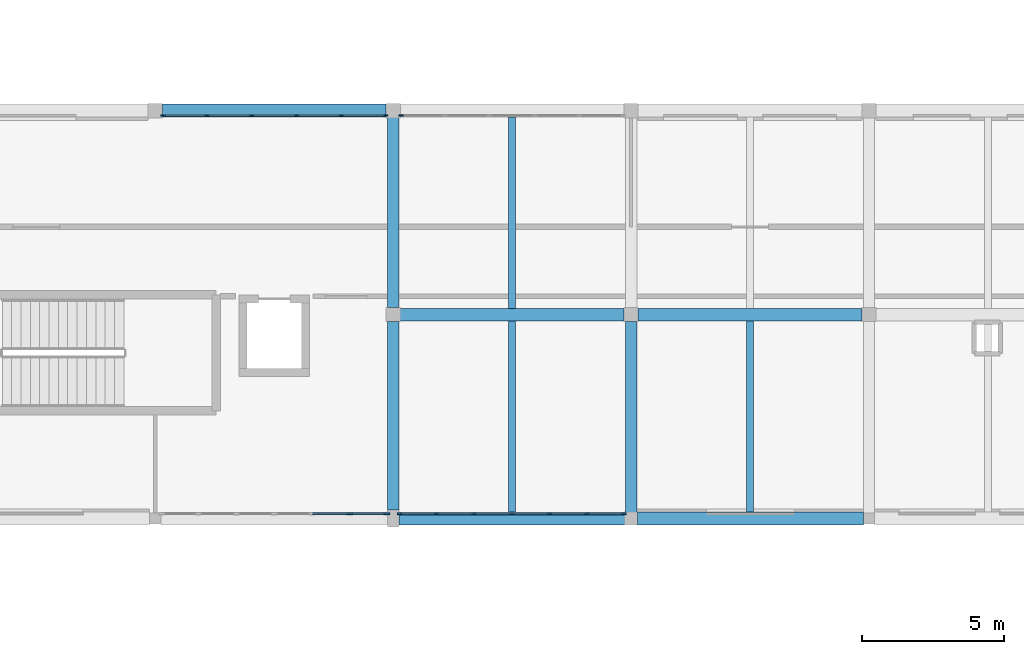
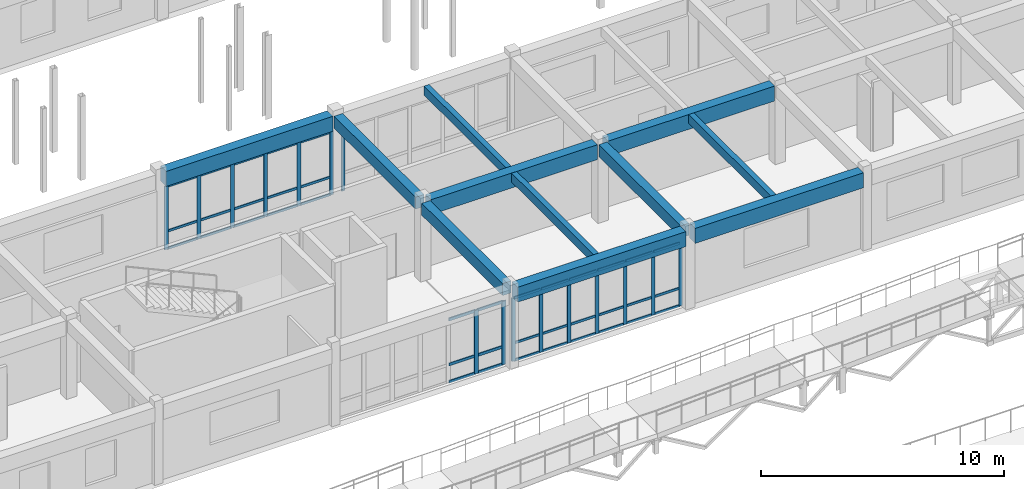
# One storey, part 30 of 90: 55 members, 11 beams, 4 elements without a shape of their own.
"""IFC4 building model written with IfcOpenShell, lengths in metres."""

import ifcopenshell
import ifcopenshell.guid

model = None  # the IFC model being written
_history = None  # IfcOwnerHistory: only IFC2X3 demands one
_inside = {}  # id of a spatial element -> (the spatial element, [elements in it])
_under = {}  # id of a project, library or spatial element -> (it, [spatial elements below it])
_declared = {}  # id of a project -> (the project, [libraries it declares])
_typed = {}  # id of a type object -> (the type object, [elements of that type])
_made_of = {}  # id of a material, layer set ... -> (it, [elements and type objects made of it])


def new_model(schema):
    """Start an empty IFC model of exactly this schema.

    Asked for "IFC4X3", IfcOpenShell would pick the latest addendum, in which some entities
    have other attributes; the version numbers below select the first issue.
    IFC2X3 requires an IfcOwnerHistory on every rooted entity: one is made here for all.
    """
    global model, _history
    if schema == "IFC4X3":
        model = ifcopenshell.file(schema_version=(4, 3, 0, 0))
    else:
        model = ifcopenshell.file(schema=schema)
    _inside.clear()
    _under.clear()
    _declared.clear()
    _typed.clear()
    _made_of.clear()
    _history = None
    if model.schema == "IFC2X3":
        org = make("IfcOrganization", Name="unknown")
        user = make(
            "IfcPersonAndOrganization",
            ThePerson=make("IfcPerson", FamilyName="unknown"),
            TheOrganization=org,
        )
        app = make(
            "IfcApplication",
            ApplicationDeveloper=org,
            Version="unknown",
            ApplicationFullName="unknown",
            ApplicationIdentifier="unknown",
        )
        _history = make(
            "IfcOwnerHistory",
            OwningUser=user,
            OwningApplication=app,
            ChangeAction="ADDED",
            CreationDate=0,
        )
    return model


def make(cls, **values):
    """One entity of the class cls with the attributes given. An attribute that is None is left unset."""
    return model.create_entity(
        cls, **{name: value for name, value in values.items() if value is not None}
    )


def rooted(cls, **values):
    """An entity with a GlobalId (a new one), such as an element, a storey or a relation."""
    return make(cls, GlobalId=ifcopenshell.guid.new(), OwnerHistory=_history, **values)


def si_unit(unit_type, name, prefix=None):
    """IfcSIUnit, for example si_unit("LENGTHUNIT", "METRE", prefix="MILLI")."""
    return make("IfcSIUnit", UnitType=unit_type, Prefix=prefix, Name=name)


def assignment(units):
    """IfcUnitAssignment: the units of a project."""
    return None if units is None else make("IfcUnitAssignment", Units=units)


def point(xyz):
    """IfcCartesianPoint."""
    return None if xyz is None else make("IfcCartesianPoint", Coordinates=xyz)


def direction(xyz):
    """IfcDirection."""
    return None if xyz is None else make("IfcDirection", DirectionRatios=xyz)


def frame(location, z_axis=None, x_axis=None):
    """IfcAxis2Placement3D, a coordinate frame: its origin and axes. An axis left out is left unset."""
    return make(
        "IfcAxis2Placement3D",
        Location=point(location),
        Axis=direction(z_axis),
        RefDirection=direction(x_axis),
    )


def frame_2d(location, x_axis=None):
    """IfcAxis2Placement2D, a coordinate frame in the plane: its origin and x axis."""
    return make(
        "IfcAxis2Placement2D", Location=point(location), RefDirection=direction(x_axis)
    )


def origin():
    """The frame at (0, 0, 0) with its axes left unset."""
    return frame((0.0, 0.0, 0.0))


def origin_2d():
    """The frame at (0, 0) in the plane with its x axis left unset."""
    return frame_2d((0.0, 0.0))


def place(relative_to, where):
    """IfcLocalPlacement: puts the frame where relative to a parent placement (None: the world)."""
    return make(
        "IfcLocalPlacement", PlacementRelTo=relative_to, RelativePlacement=where
    )


def context(
    kind, dimensions, precision=None, world=None, true_north=None, identifier=None
):
    """IfcGeometricRepresentationContext, for example the 3D "Model" context."""
    return make(
        "IfcGeometricRepresentationContext",
        ContextIdentifier=identifier,
        ContextType=kind,
        CoordinateSpaceDimension=dimensions,
        Precision=precision,
        WorldCoordinateSystem=world,
        TrueNorth=true_north,
    )


def subcontext(parent, identifier, kind, view, scale=None):
    """IfcGeometricRepresentationSubContext, for example "Body" below "Model"."""
    return make(
        "IfcGeometricRepresentationSubContext",
        ContextIdentifier=identifier,
        ContextType=kind,
        ParentContext=parent,
        TargetScale=scale,
        TargetView=view,
    )


def project(units=None, contexts=None):
    """IfcProject with its units and contexts."""
    return rooted(
        "IfcProject",
        Name="project",
        RepresentationContexts=contexts,
        UnitsInContext=assignment(units),
    )


def spatial(cls, under=None, at=None, **own):
    """A site, building, storey or space (cls), placed at a placement, below another one or the project."""
    s = rooted(cls, ObjectPlacement=at, **own)
    if under is not None:
        _under.setdefault(under.id(), (under, []))[1].append(s)
    return s


def profile(cls, at=None, kind="AREA", **sizes):
    """A parametric profile (cls). Its sizes go by their IFC names, for example OverallWidth=200.0."""
    return make(cls, ProfileType=kind, Position=at, **sizes)


def rectangle(**sizes):
    """IfcRectangleProfileDef."""
    return profile("IfcRectangleProfileDef", **sizes)


def extrude(swept, where, along, depth):
    """IfcExtrudedAreaSolid: the profile swept, set in the frame where, extruded along a direction by depth."""
    return make(
        "IfcExtrudedAreaSolid",
        SweptArea=swept,
        Position=where,
        ExtrudedDirection=direction(along),
        Depth=depth,
    )


def shape(context_of_items, identifier, shape_type, items):
    """IfcShapeRepresentation: the items that make up one representation, for example the "Body"."""
    return make(
        "IfcShapeRepresentation",
        ContextOfItems=context_of_items,
        RepresentationIdentifier=identifier,
        RepresentationType=shape_type,
        Items=items,
    )


def material(Name=None, Category=None):
    """IfcMaterial."""
    return make("IfcMaterial", Name=Name, Category=Category)


def material_profile(
    of_material, cross_section, Name=None, Category=None, Priority=None
):
    """IfcMaterialProfile: a cross section and its material."""
    return make(
        "IfcMaterialProfile",
        Name=Name,
        Material=of_material,
        Profile=cross_section,
        Priority=Priority,
        Category=Category,
    )


def profile_set(profiles, Name=None, composite=None):
    """IfcMaterialProfileSet."""
    return make(
        "IfcMaterialProfileSet",
        Name=Name,
        MaterialProfiles=profiles,
        CompositeProfile=composite,
    )


def made_of(thing, what):
    """Note that an element or type object is made of a material, layer set ...; save() writes the relation."""
    if what is not None:
        _made_of.setdefault(what.id(), (what, []))[1].append(thing)
    return thing


def type_object(cls, material=None, **own):
    """A type object (cls), such as IfcWallType, which elements share."""
    return made_of(rooted(cls, **own), material)


def element(
    cls,
    number,
    at=None,
    inside=None,
    cuts=None,
    type_object=None,
    material=None,
    context=None,
    identifier="Body",
    shape_type=None,
    held_by="IfcProductDefinitionShape",
    body=None,
    shapes=None,
    **own,
):
    """One element of the class cls, such as IfcWall. Its Tag is "e" and its number.

    at: its placement. inside: the storey or other place that contains it. cuts: it is an
    opening in that element (IfcRelVoidsElement). A single representation is given by context,
    identifier, shape_type and body (its items); several are given by shapes. held_by: the class
    of the entity that holds the representations. save() writes the other relations.
    """
    e = rooted(cls, Tag="e%d" % number, ObjectPlacement=at, **own)
    if body is not None:
        shapes = [shape(context, identifier, shape_type, body)]
    if shapes is not None:
        e.Representation = make(held_by, Representations=shapes)
    if inside is not None:
        _inside.setdefault(inside.id(), (inside, []))[1].append(e)
    if cuts is not None:
        rooted(
            "IfcRelVoidsElement", RelatingBuildingElement=cuts, RelatedOpeningElement=e
        )
    if type_object is not None:
        _typed.setdefault(type_object.id(), (type_object, []))[1].append(e)
    return made_of(e, material)


def aggregate(whole, parts):
    """IfcRelAggregates: a whole, such as a stair, and the parts it consists of."""
    return rooted("IfcRelAggregates", RelatingObject=whole, RelatedObjects=parts)


def save(model, path):
    """Write the relations noted so far, then the file.

    IfcRelAggregates (storeys below a building ...), IfcRelContainedInSpatialStructure (elements
    in a storey), IfcRelDefinesByType, IfcRelAssociatesMaterial and IfcRelDeclares: one each for
    every whole, place, type object, material and project.
    """
    for whole, parts in _under.values():
        aggregate(whole, parts)
    for where, things in _inside.values():
        rooted(
            "IfcRelContainedInSpatialStructure",
            RelatedElements=things,
            RelatingStructure=where,
        )
    for kind, things in _typed.values():
        rooted("IfcRelDefinesByType", RelatedObjects=things, RelatingType=kind)
    for what, things in _made_of.values():
        rooted("IfcRelAssociatesMaterial", RelatedObjects=things, RelatingMaterial=what)
    for by, libraries in _declared.values():
        rooted("IfcRelDeclares", RelatingContext=by, RelatedDefinitions=libraries)
    model.write(path)


model = new_model("IFC4")

# Units and contexts
model_context = context("Model", 3, precision=1e-05, world=origin(), true_north=direction((0.0, 1.0)))
body_context = subcontext(model_context, "Body", "Model", "MODEL_VIEW")
ifc_project = project(units=[si_unit("LENGTHUNIT", "METRE"), si_unit("AREAUNIT", "SQUARE_METRE"), si_unit("VOLUMEUNIT", "CUBIC_METRE"), si_unit("PLANEANGLEUNIT", "RADIAN"), si_unit("MASSUNIT", "GRAM", prefix="KILO")], contexts=[model_context])

# Site, building, storey
site_placement = place(None, origin())
site = spatial("IfcSite", under=ifc_project, at=site_placement, CompositionType="ELEMENT")
building_placement = place(site_placement, origin())
building = spatial("IfcBuilding", under=site, at=building_placement, Name="Malvenik Polytechnic", CompositionType="ELEMENT")
storey_placement = place(building_placement, frame((0.0, 0.0, 9.300048828125)))
storey = spatial("IfcBuildingStorey", under=building, at=storey_placement, Name="L02", CompositionType="ELEMENT", Elevation=9.300048828125)

# Curtain wall, members
ifc_material_1 = material(Name="Anodised aluminium 6060-T6", Category="aluminium")
curtain_wall_type = type_object("IfcCurtainWallType", Name="ARC-CW-CW-03", PredefinedType="NOTDEFINED", material=ifc_material_1)
curtain_wall_1_placement = place(storey_placement, origin())
curtain_wall_1 = element("IfcCurtainWall", 1, at=curtain_wall_1_placement, inside=storey, type_object=curtain_wall_type, Name="Unitised Curtain Wall CW-03 L02 #137", PredefinedType="NOTDEFINED")
ifc_material_2 = material(Name="Anodised aluminium", Category="aluminium")
ifc_material_profile_1 = material_profile(ifc_material_2, rectangle(XDim=0.06005859375, YDim=0.159912109375, at=origin_2d()), Name="ALU MULLION 60x160")
ifc_profile_set_1 = profile_set([ifc_material_profile_1], Name="Anodised aluminium")
member_type_1 = type_object("IfcMemberType", Name="ARC-CWM-160", PredefinedType="MULLION", material=ifc_profile_set_1)
member_1_placement = place(storey_placement, frame((58.547119140625, 50.570068359375, 0.0), z_axis=(0.0, 0.0, 1.0), x_axis=(0.0, -1.0, 0.0)))
member_1 = element("IfcMember", 2, at=member_1_placement, type_object=member_type_1, Name="CW-03 mullion 1", PredefinedType="MULLION", context=body_context, shape_type="SweptSolid", body=[
    extrude(rectangle(XDim=0.06005859375, YDim=0.159912109375, at=origin_2d()), origin(), (0.0, 0.0, 1.0), 3.179931640625),
])
member_2_placement = place(storey_placement, frame((57.2470703125, 50.570068359375, 0.0), z_axis=(0.0, 0.0, 1.0), x_axis=(0.0, -1.0, 0.0)))
member_2 = element("IfcMember", 3, at=member_2_placement, type_object=member_type_1, Name="CW-03 mullion 2", PredefinedType="MULLION", context=body_context, shape_type="SweptSolid", body=[
    extrude(rectangle(XDim=0.06005859375, YDim=0.159912109375, at=origin_2d()), origin(), (0.0, 0.0, 1.0), 3.179931640625),
])
member_3_placement = place(storey_placement, frame((55.917236328125, 50.570068359375, 0.0), z_axis=(0.0, 0.0, 1.0), x_axis=(0.0, -1.0, 0.0)))
member_3 = element("IfcMember", 4, at=member_3_placement, type_object=member_type_1, Name="CW-03 mullion 3", PredefinedType="MULLION", context=body_context, shape_type="SweptSolid", body=[
    extrude(rectangle(XDim=0.06005859375, YDim=0.159912109375, at=origin_2d()), origin(), (0.0, 0.0, 1.0), 3.179931640625),
])
member_4_placement = place(storey_placement, frame((54.58740234375, 50.570068359375, 0.0), z_axis=(0.0, 0.0, 1.0), x_axis=(0.0, -1.0, 0.0)))
member_4 = element("IfcMember", 5, at=member_4_placement, type_object=member_type_1, Name="CW-03 mullion 4", PredefinedType="MULLION", context=body_context, shape_type="SweptSolid", body=[
    extrude(rectangle(XDim=0.06005859375, YDim=0.159912109375, at=origin_2d()), origin(), (0.0, 0.0, 1.0), 3.179931640625),
])
member_5_placement = place(storey_placement, frame((53.257568359375, 50.570068359375, 0.0), z_axis=(0.0, 0.0, 1.0), x_axis=(0.0, -1.0, 0.0)))
member_5 = element("IfcMember", 6, at=member_5_placement, type_object=member_type_1, Name="CW-03 mullion 5", PredefinedType="MULLION", context=body_context, shape_type="SweptSolid", body=[
    extrude(rectangle(XDim=0.06005859375, YDim=0.159912109375, at=origin_2d()), origin(), (0.0, 0.0, 1.0), 3.179931640625),
])
member_6_placement = place(storey_placement, frame((51.927734375, 50.570068359375, 0.0), z_axis=(0.0, 0.0, 1.0), x_axis=(0.0, -1.0, 0.0)))
member_6 = element("IfcMember", 7, at=member_6_placement, type_object=member_type_1, Name="CW-03 mullion 6", PredefinedType="MULLION", context=body_context, shape_type="SweptSolid", body=[
    extrude(rectangle(XDim=0.06005859375, YDim=0.159912109375, at=origin_2d()), origin(), (0.0, 0.0, 1.0), 3.179931640625),
])
member_7_placement = place(storey_placement, frame((50.6279296875, 50.570068359375, 0.0), z_axis=(0.0, 0.0, 1.0), x_axis=(0.0, -1.0, 0.0)))
member_7 = element("IfcMember", 8, at=member_7_placement, type_object=member_type_1, Name="CW-03 mullion 7", PredefinedType="MULLION", context=body_context, shape_type="SweptSolid", body=[
    extrude(rectangle(XDim=0.06005859375, YDim=0.159912109375, at=origin_2d()), origin(), (0.0, 0.0, 1.0), 3.179931640625),
])

# Curtain wall, member
curtain_wall_2_placement = place(storey_placement, origin())
curtain_wall_2 = element("IfcCurtainWall", 9, at=curtain_wall_2_placement, inside=storey, type_object=curtain_wall_type, Name="Unitised Curtain Wall CW-03 L02 #140", PredefinedType="NOTDEFINED")
member_8_placement = place(storey_placement, frame((50.677978515625, 64.6298828125, 0.0), z_axis=(0.0, 0.0, 1.0), x_axis=(0.0, 1.0, 0.0)))
member_8 = element("IfcMember", 10, at=member_8_placement, type_object=member_type_1, Name="CW-03 mullion 1", PredefinedType="MULLION", context=body_context, shape_type="SweptSolid", body=[
    extrude(rectangle(XDim=0.06005859375, YDim=0.159912109375, at=origin_2d()), origin(), (0.0, 0.0, 1.0), 3.179931640625),
])
aggregate(curtain_wall_2, [member_8])

# Curtain wall, members
curtain_wall_3_placement = place(storey_placement, origin())
curtain_wall_3 = element("IfcCurtainWall", 11, at=curtain_wall_3_placement, inside=storey, type_object=curtain_wall_type, Name="Unitised Curtain Wall CW-03 L02 #139", PredefinedType="NOTDEFINED")
ifc_material_profile_2 = material_profile(ifc_material_2, rectangle(XDim=0.06005859375, YDim=0.179931640625, at=origin_2d()), Name="ALU MULLION 60x180")
ifc_profile_set_2 = profile_set([ifc_material_profile_2], Name="Anodised aluminium")
member_type_2 = type_object("IfcMemberType", Name="ARC-CWM-180", PredefinedType="MULLION", material=ifc_profile_set_2)
member_9_placement = place(storey_placement, frame((42.278076171875, 64.6298828125, 0.0), z_axis=(0.0, 0.0, 1.0), x_axis=(0.0, 1.0, 0.0)))
member_9 = element("IfcMember", 12, at=member_9_placement, type_object=member_type_2, Name="CW-03 mullion 1", PredefinedType="MULLION", context=body_context, shape_type="SweptSolid", body=[
    extrude(rectangle(XDim=0.06005859375, YDim=0.179931640625, at=origin_2d()), origin(), (0.0, 0.0, 1.0), 3.179931640625),
])
member_10_placement = place(storey_placement, frame((43.828857421875, 64.6298828125, 0.0), z_axis=(0.0, 0.0, 1.0), x_axis=(0.0, 1.0, 0.0)))
member_10 = element("IfcMember", 13, at=member_10_placement, type_object=member_type_2, Name="CW-03 mullion 2", PredefinedType="MULLION", context=body_context, shape_type="SweptSolid", body=[
    extrude(rectangle(XDim=0.06005859375, YDim=0.179931640625, at=origin_2d()), origin(), (0.0, 0.0, 1.0), 3.179931640625),
])
member_11_placement = place(storey_placement, frame((45.40966796875, 64.6298828125, 0.0), z_axis=(0.0, 0.0, 1.0), x_axis=(0.0, 1.0, 0.0)))
member_11 = element("IfcMember", 14, at=member_11_placement, type_object=member_type_2, Name="CW-03 mullion 3", PredefinedType="MULLION", context=body_context, shape_type="SweptSolid", body=[
    extrude(rectangle(XDim=0.06005859375, YDim=0.179931640625, at=origin_2d()), origin(), (0.0, 0.0, 1.0), 3.179931640625),
])
member_12_placement = place(storey_placement, frame((46.990478515625, 64.6298828125, 0.0), z_axis=(0.0, 0.0, 1.0), x_axis=(0.0, 1.0, 0.0)))
member_12 = element("IfcMember", 15, at=member_12_placement, type_object=member_type_2, Name="CW-03 mullion 4", PredefinedType="MULLION", context=body_context, shape_type="SweptSolid", body=[
    extrude(rectangle(XDim=0.06005859375, YDim=0.179931640625, at=origin_2d()), origin(), (0.0, 0.0, 1.0), 3.179931640625),
])
member_13_placement = place(storey_placement, frame((48.5712890625, 64.6298828125, 0.0), z_axis=(0.0, 0.0, 1.0), x_axis=(0.0, 1.0, 0.0)))
member_13 = element("IfcMember", 16, at=member_13_placement, type_object=member_type_2, Name="CW-03 mullion 5", PredefinedType="MULLION", context=body_context, shape_type="SweptSolid", body=[
    extrude(rectangle(XDim=0.06005859375, YDim=0.179931640625, at=origin_2d()), origin(), (0.0, 0.0, 1.0), 3.179931640625),
])
member_14_placement = place(storey_placement, frame((50.1220703125, 64.6298828125, 0.0), z_axis=(0.0, 0.0, 1.0), x_axis=(0.0, 1.0, 0.0)))
member_14 = element("IfcMember", 17, at=member_14_placement, type_object=member_type_2, Name="CW-03 mullion 6", PredefinedType="MULLION", context=body_context, shape_type="SweptSolid", body=[
    extrude(rectangle(XDim=0.06005859375, YDim=0.179931640625, at=origin_2d()), origin(), (0.0, 0.0, 1.0), 3.179931640625),
])

curtain_wall_4_placement = place(storey_placement, origin())
curtain_wall_4 = element("IfcCurtainWall", 18, at=curtain_wall_4_placement, inside=storey, type_object=curtain_wall_type, Name="Unitised Curtain Wall CW-03 L02 #138", PredefinedType="NOTDEFINED")
ifc_material_profile_3 = material_profile(ifc_material_2, rectangle(XDim=0.06005859375, YDim=0.199951171875, at=origin_2d()), Name="ALU MULLION 60x200")
ifc_profile_set_3 = profile_set([ifc_material_profile_3], Name="Anodised aluminium")
member_type_3 = type_object("IfcMemberType", Name="ARC-CWM-200", PredefinedType="MULLION", material=ifc_profile_set_3)
member_15_placement = place(storey_placement, frame((50.172119140625, 50.570068359375, 0.0), z_axis=(0.0, 0.0, 1.0), x_axis=(0.0, -1.0, 0.0)))
member_15 = element("IfcMember", 19, at=member_15_placement, type_object=member_type_3, Name="CW-03 mullion 1", PredefinedType="MULLION", context=body_context, shape_type="SweptSolid", body=[
    extrude(rectangle(XDim=0.06005859375, YDim=0.199951171875, at=origin_2d()), origin(), (0.0, 0.0, 1.0), 3.179931640625),
])
member_16_placement = place(storey_placement, frame((48.867919921875, 50.570068359375, 0.0), z_axis=(0.0, 0.0, 1.0), x_axis=(0.0, -1.0, 0.0)))
member_16 = element("IfcMember", 20, at=member_16_placement, type_object=member_type_3, Name="CW-03 mullion 2", PredefinedType="MULLION", context=body_context, shape_type="SweptSolid", body=[
    extrude(rectangle(XDim=0.06005859375, YDim=0.199951171875, at=origin_2d()), origin(), (0.0, 0.0, 1.0), 3.179931640625),
])

# Member
ifc_material_profile_4 = material_profile(ifc_material_2, rectangle(XDim=0.06005859375, YDim=0.1201171875, at=origin_2d()), Name="ALU TRANSOM 60x120")
ifc_profile_set_4 = profile_set([ifc_material_profile_4], Name="Anodised aluminium")
member_type_4 = type_object("IfcMemberType", Name="ARC-CWT-120", PredefinedType="USERDEFINED", material=ifc_profile_set_4)
member_17_placement = place(storey_placement, frame((58.51708984375, 50.570068359375, 0.030029296875), z_axis=(-1.0, 0.0, 0.0), x_axis=(0.0, -1.0, 0.0)))
member_17 = element("IfcMember", 21, at=member_17_placement, type_object=member_type_4, Name="CW-03 transom 1.1", ObjectType="TRANSOM", PredefinedType="USERDEFINED", context=body_context, shape_type="SweptSolid", body=[
    extrude(rectangle(XDim=0.06005859375, YDim=0.1201171875, at=origin_2d()), origin(), (0.0, 0.0, 1.0), 1.239990234375),
])

member_18_placement = place(storey_placement, frame((58.51708984375, 50.570068359375, 0.89990234375), z_axis=(-1.0, 0.0, 0.0), x_axis=(0.0, -1.0, 0.0)))
member_18 = element("IfcMember", 22, at=member_18_placement, type_object=member_type_4, Name="CW-03 transom 1.2", ObjectType="TRANSOM", PredefinedType="USERDEFINED", context=body_context, shape_type="SweptSolid", body=[
    extrude(rectangle(XDim=0.06005859375, YDim=0.1201171875, at=origin_2d()), origin(), (0.0, 0.0, 1.0), 1.239990234375),
])

member_19_placement = place(storey_placement, frame((58.51708984375, 50.570068359375, 3.14990234375), z_axis=(-1.0, 0.0, 0.0), x_axis=(0.0, -1.0, 0.0)))
member_19 = element("IfcMember", 23, at=member_19_placement, type_object=member_type_4, Name="CW-03 transom 1.3", ObjectType="TRANSOM", PredefinedType="USERDEFINED", context=body_context, shape_type="SweptSolid", body=[
    extrude(rectangle(XDim=0.06005859375, YDim=0.1201171875, at=origin_2d()), origin(), (0.0, 0.0, 1.0), 1.239990234375),
])

member_20_placement = place(storey_placement, frame((57.21728515625, 50.570068359375, 0.030029296875), z_axis=(-1.0, 0.0, 0.0), x_axis=(0.0, -1.0, 0.0)))
member_20 = element("IfcMember", 24, at=member_20_placement, type_object=member_type_4, Name="CW-03 transom 2.1", ObjectType="TRANSOM", PredefinedType="USERDEFINED", context=body_context, shape_type="SweptSolid", body=[
    extrude(rectangle(XDim=0.06005859375, YDim=0.1201171875, at=origin_2d()), origin(), (0.0, 0.0, 1.0), 1.27001953125),
])

member_21_placement = place(storey_placement, frame((57.21728515625, 50.570068359375, 0.89990234375), z_axis=(-1.0, 0.0, 0.0), x_axis=(0.0, -1.0, 0.0)))
member_21 = element("IfcMember", 25, at=member_21_placement, type_object=member_type_4, Name="CW-03 transom 2.2", ObjectType="TRANSOM", PredefinedType="USERDEFINED", context=body_context, shape_type="SweptSolid", body=[
    extrude(rectangle(XDim=0.06005859375, YDim=0.1201171875, at=origin_2d()), origin(), (0.0, 0.0, 1.0), 1.27001953125),
])

member_22_placement = place(storey_placement, frame((57.21728515625, 50.570068359375, 3.14990234375), z_axis=(-1.0, 0.0, 0.0), x_axis=(0.0, -1.0, 0.0)))
member_22 = element("IfcMember", 26, at=member_22_placement, type_object=member_type_4, Name="CW-03 transom 2.3", ObjectType="TRANSOM", PredefinedType="USERDEFINED", context=body_context, shape_type="SweptSolid", body=[
    extrude(rectangle(XDim=0.06005859375, YDim=0.1201171875, at=origin_2d()), origin(), (0.0, 0.0, 1.0), 1.27001953125),
])

member_23_placement = place(storey_placement, frame((55.887451171875, 50.570068359375, 0.030029296875), z_axis=(-1.0, 0.0, 0.0), x_axis=(0.0, -1.0, 0.0)))
member_23 = element("IfcMember", 27, at=member_23_placement, type_object=member_type_4, Name="CW-03 transom 3.1", ObjectType="TRANSOM", PredefinedType="USERDEFINED", context=body_context, shape_type="SweptSolid", body=[
    extrude(rectangle(XDim=0.06005859375, YDim=0.1201171875, at=origin_2d()), origin(), (0.0, 0.0, 1.0), 1.27001953125),
])

member_24_placement = place(storey_placement, frame((55.887451171875, 50.570068359375, 0.89990234375), z_axis=(-1.0, 0.0, 0.0), x_axis=(0.0, -1.0, 0.0)))
member_24 = element("IfcMember", 28, at=member_24_placement, type_object=member_type_4, Name="CW-03 transom 3.2", ObjectType="TRANSOM", PredefinedType="USERDEFINED", context=body_context, shape_type="SweptSolid", body=[
    extrude(rectangle(XDim=0.06005859375, YDim=0.1201171875, at=origin_2d()), origin(), (0.0, 0.0, 1.0), 1.27001953125),
])

member_25_placement = place(storey_placement, frame((55.887451171875, 50.570068359375, 3.14990234375), z_axis=(-1.0, 0.0, 0.0), x_axis=(0.0, -1.0, 0.0)))
member_25 = element("IfcMember", 29, at=member_25_placement, type_object=member_type_4, Name="CW-03 transom 3.3", ObjectType="TRANSOM", PredefinedType="USERDEFINED", context=body_context, shape_type="SweptSolid", body=[
    extrude(rectangle(XDim=0.06005859375, YDim=0.1201171875, at=origin_2d()), origin(), (0.0, 0.0, 1.0), 1.27001953125),
])

member_26_placement = place(storey_placement, frame((54.5576171875, 50.570068359375, 0.030029296875), z_axis=(-1.0, 0.0, 0.0), x_axis=(0.0, -1.0, 0.0)))
member_26 = element("IfcMember", 30, at=member_26_placement, type_object=member_type_4, Name="CW-03 transom 4.1", ObjectType="TRANSOM", PredefinedType="USERDEFINED", context=body_context, shape_type="SweptSolid", body=[
    extrude(rectangle(XDim=0.06005859375, YDim=0.1201171875, at=origin_2d()), origin(), (0.0, 0.0, 1.0), 1.27001953125),
])

member_27_placement = place(storey_placement, frame((54.5576171875, 50.570068359375, 0.89990234375), z_axis=(-1.0, 0.0, 0.0), x_axis=(0.0, -1.0, 0.0)))
member_27 = element("IfcMember", 31, at=member_27_placement, type_object=member_type_4, Name="CW-03 transom 4.2", ObjectType="TRANSOM", PredefinedType="USERDEFINED", context=body_context, shape_type="SweptSolid", body=[
    extrude(rectangle(XDim=0.06005859375, YDim=0.1201171875, at=origin_2d()), origin(), (0.0, 0.0, 1.0), 1.27001953125),
])

member_28_placement = place(storey_placement, frame((54.5576171875, 50.570068359375, 3.14990234375), z_axis=(-1.0, 0.0, 0.0), x_axis=(0.0, -1.0, 0.0)))
member_28 = element("IfcMember", 32, at=member_28_placement, type_object=member_type_4, Name="CW-03 transom 4.3", ObjectType="TRANSOM", PredefinedType="USERDEFINED", context=body_context, shape_type="SweptSolid", body=[
    extrude(rectangle(XDim=0.06005859375, YDim=0.1201171875, at=origin_2d()), origin(), (0.0, 0.0, 1.0), 1.27001953125),
])

member_29_placement = place(storey_placement, frame((53.227783203125, 50.570068359375, 0.030029296875), z_axis=(-1.0, 0.0, 0.0), x_axis=(0.0, -1.0, 0.0)))
member_29 = element("IfcMember", 33, at=member_29_placement, type_object=member_type_4, Name="CW-03 transom 5.1", ObjectType="TRANSOM", PredefinedType="USERDEFINED", context=body_context, shape_type="SweptSolid", body=[
    extrude(rectangle(XDim=0.06005859375, YDim=0.1201171875, at=origin_2d()), origin(), (0.0, 0.0, 1.0), 1.27001953125),
])

member_30_placement = place(storey_placement, frame((53.227783203125, 50.570068359375, 0.89990234375), z_axis=(-1.0, 0.0, 0.0), x_axis=(0.0, -1.0, 0.0)))
member_30 = element("IfcMember", 34, at=member_30_placement, type_object=member_type_4, Name="CW-03 transom 5.2", ObjectType="TRANSOM", PredefinedType="USERDEFINED", context=body_context, shape_type="SweptSolid", body=[
    extrude(rectangle(XDim=0.06005859375, YDim=0.1201171875, at=origin_2d()), origin(), (0.0, 0.0, 1.0), 1.27001953125),
])

member_31_placement = place(storey_placement, frame((53.227783203125, 50.570068359375, 3.14990234375), z_axis=(-1.0, 0.0, 0.0), x_axis=(0.0, -1.0, 0.0)))
member_31 = element("IfcMember", 35, at=member_31_placement, type_object=member_type_4, Name="CW-03 transom 5.3", ObjectType="TRANSOM", PredefinedType="USERDEFINED", context=body_context, shape_type="SweptSolid", body=[
    extrude(rectangle(XDim=0.06005859375, YDim=0.1201171875, at=origin_2d()), origin(), (0.0, 0.0, 1.0), 1.27001953125),
])

member_32_placement = place(storey_placement, frame((51.89794921875, 50.570068359375, 0.030029296875), z_axis=(-1.0, 0.0, 0.0), x_axis=(0.0, -1.0, 0.0)))
member_32 = element("IfcMember", 36, at=member_32_placement, type_object=member_type_4, Name="CW-03 transom 6.1", ObjectType="TRANSOM", PredefinedType="USERDEFINED", context=body_context, shape_type="SweptSolid", body=[
    extrude(rectangle(XDim=0.06005859375, YDim=0.1201171875, at=origin_2d()), origin(), (0.0, 0.0, 1.0), 1.239990234375),
])

member_33_placement = place(storey_placement, frame((51.89794921875, 50.570068359375, 0.89990234375), z_axis=(-1.0, 0.0, 0.0), x_axis=(0.0, -1.0, 0.0)))
member_33 = element("IfcMember", 37, at=member_33_placement, type_object=member_type_4, Name="CW-03 transom 6.2", ObjectType="TRANSOM", PredefinedType="USERDEFINED", context=body_context, shape_type="SweptSolid", body=[
    extrude(rectangle(XDim=0.06005859375, YDim=0.1201171875, at=origin_2d()), origin(), (0.0, 0.0, 1.0), 1.239990234375),
])

member_34_placement = place(storey_placement, frame((51.89794921875, 50.570068359375, 3.14990234375), z_axis=(-1.0, 0.0, 0.0), x_axis=(0.0, -1.0, 0.0)))
member_34 = element("IfcMember", 38, at=member_34_placement, type_object=member_type_4, Name="CW-03 transom 6.3", ObjectType="TRANSOM", PredefinedType="USERDEFINED", context=body_context, shape_type="SweptSolid", body=[
    extrude(rectangle(XDim=0.06005859375, YDim=0.1201171875, at=origin_2d()), origin(), (0.0, 0.0, 1.0), 1.239990234375),
])

aggregate(curtain_wall_1, [member_1, member_2, member_3, member_4, member_5, member_6, member_7, member_17, member_18, member_19, member_20, member_21, member_22, member_23, member_24, member_25, member_26, member_27, member_28, member_29, member_30, member_31, member_32, member_33, member_34])

member_35_placement = place(storey_placement, frame((42.30810546875, 64.6298828125, 0.030029296875), z_axis=(1.0, 0.0, 0.0), x_axis=(0.0, 1.0, 0.0)))
member_35 = element("IfcMember", 39, at=member_35_placement, type_object=member_type_4, Name="CW-03 transom 1.1", ObjectType="TRANSOM", PredefinedType="USERDEFINED", context=body_context, shape_type="SweptSolid", body=[
    extrude(rectangle(XDim=0.06005859375, YDim=0.1201171875, at=origin_2d()), origin(), (0.0, 0.0, 1.0), 1.49072265625),
])

member_36_placement = place(storey_placement, frame((42.30810546875, 64.6298828125, 0.89990234375), z_axis=(1.0, 0.0, 0.0), x_axis=(0.0, 1.0, 0.0)))
member_36 = element("IfcMember", 40, at=member_36_placement, type_object=member_type_4, Name="CW-03 transom 1.2", ObjectType="TRANSOM", PredefinedType="USERDEFINED", context=body_context, shape_type="SweptSolid", body=[
    extrude(rectangle(XDim=0.06005859375, YDim=0.1201171875, at=origin_2d()), origin(), (0.0, 0.0, 1.0), 1.49072265625),
])

member_37_placement = place(storey_placement, frame((42.30810546875, 64.6298828125, 3.14990234375), z_axis=(1.0, 0.0, 0.0), x_axis=(0.0, 1.0, 0.0)))
member_37 = element("IfcMember", 41, at=member_37_placement, type_object=member_type_4, Name="CW-03 transom 1.3", ObjectType="TRANSOM", PredefinedType="USERDEFINED", context=body_context, shape_type="SweptSolid", body=[
    extrude(rectangle(XDim=0.06005859375, YDim=0.1201171875, at=origin_2d()), origin(), (0.0, 0.0, 1.0), 1.49072265625),
])

member_38_placement = place(storey_placement, frame((43.85888671875, 64.6298828125, 0.030029296875), z_axis=(1.0, 0.0, 0.0), x_axis=(0.0, 1.0, 0.0)))
member_38 = element("IfcMember", 42, at=member_38_placement, type_object=member_type_4, Name="CW-03 transom 2.1", ObjectType="TRANSOM", PredefinedType="USERDEFINED", context=body_context, shape_type="SweptSolid", body=[
    extrude(rectangle(XDim=0.06005859375, YDim=0.1201171875, at=origin_2d()), origin(), (0.0, 0.0, 1.0), 1.520751953125),
])

member_39_placement = place(storey_placement, frame((43.85888671875, 64.6298828125, 0.89990234375), z_axis=(1.0, 0.0, 0.0), x_axis=(0.0, 1.0, 0.0)))
member_39 = element("IfcMember", 43, at=member_39_placement, type_object=member_type_4, Name="CW-03 transom 2.2", ObjectType="TRANSOM", PredefinedType="USERDEFINED", context=body_context, shape_type="SweptSolid", body=[
    extrude(rectangle(XDim=0.06005859375, YDim=0.1201171875, at=origin_2d()), origin(), (0.0, 0.0, 1.0), 1.520751953125),
])

member_40_placement = place(storey_placement, frame((43.85888671875, 64.6298828125, 3.14990234375), z_axis=(1.0, 0.0, 0.0), x_axis=(0.0, 1.0, 0.0)))
member_40 = element("IfcMember", 44, at=member_40_placement, type_object=member_type_4, Name="CW-03 transom 2.3", ObjectType="TRANSOM", PredefinedType="USERDEFINED", context=body_context, shape_type="SweptSolid", body=[
    extrude(rectangle(XDim=0.06005859375, YDim=0.1201171875, at=origin_2d()), origin(), (0.0, 0.0, 1.0), 1.520751953125),
])

member_41_placement = place(storey_placement, frame((45.439697265625, 64.6298828125, 0.030029296875), z_axis=(1.0, 0.0, 0.0), x_axis=(0.0, 1.0, 0.0)))
member_41 = element("IfcMember", 45, at=member_41_placement, type_object=member_type_4, Name="CW-03 transom 3.1", ObjectType="TRANSOM", PredefinedType="USERDEFINED", context=body_context, shape_type="SweptSolid", body=[
    extrude(rectangle(XDim=0.06005859375, YDim=0.1201171875, at=origin_2d()), origin(), (0.0, 0.0, 1.0), 1.520751953125),
])

member_42_placement = place(storey_placement, frame((45.439697265625, 64.6298828125, 0.89990234375), z_axis=(1.0, 0.0, 0.0), x_axis=(0.0, 1.0, 0.0)))
member_42 = element("IfcMember", 46, at=member_42_placement, type_object=member_type_4, Name="CW-03 transom 3.2", ObjectType="TRANSOM", PredefinedType="USERDEFINED", context=body_context, shape_type="SweptSolid", body=[
    extrude(rectangle(XDim=0.06005859375, YDim=0.1201171875, at=origin_2d()), origin(), (0.0, 0.0, 1.0), 1.520751953125),
])

member_43_placement = place(storey_placement, frame((45.439697265625, 64.6298828125, 3.14990234375), z_axis=(1.0, 0.0, 0.0), x_axis=(0.0, 1.0, 0.0)))
member_43 = element("IfcMember", 47, at=member_43_placement, type_object=member_type_4, Name="CW-03 transom 3.3", ObjectType="TRANSOM", PredefinedType="USERDEFINED", context=body_context, shape_type="SweptSolid", body=[
    extrude(rectangle(XDim=0.06005859375, YDim=0.1201171875, at=origin_2d()), origin(), (0.0, 0.0, 1.0), 1.520751953125),
])

member_44_placement = place(storey_placement, frame((47.0205078125, 64.6298828125, 0.030029296875), z_axis=(1.0, 0.0, 0.0), x_axis=(0.0, 1.0, 0.0)))
member_44 = element("IfcMember", 48, at=member_44_placement, type_object=member_type_4, Name="CW-03 transom 4.1", ObjectType="TRANSOM", PredefinedType="USERDEFINED", context=body_context, shape_type="SweptSolid", body=[
    extrude(rectangle(XDim=0.06005859375, YDim=0.1201171875, at=origin_2d()), origin(), (0.0, 0.0, 1.0), 1.520751953125),
])

member_45_placement = place(storey_placement, frame((47.0205078125, 64.6298828125, 0.89990234375), z_axis=(1.0, 0.0, 0.0), x_axis=(0.0, 1.0, 0.0)))
member_45 = element("IfcMember", 49, at=member_45_placement, type_object=member_type_4, Name="CW-03 transom 4.2", ObjectType="TRANSOM", PredefinedType="USERDEFINED", context=body_context, shape_type="SweptSolid", body=[
    extrude(rectangle(XDim=0.06005859375, YDim=0.1201171875, at=origin_2d()), origin(), (0.0, 0.0, 1.0), 1.520751953125),
])

member_46_placement = place(storey_placement, frame((47.0205078125, 64.6298828125, 3.14990234375), z_axis=(1.0, 0.0, 0.0), x_axis=(0.0, 1.0, 0.0)))
member_46 = element("IfcMember", 50, at=member_46_placement, type_object=member_type_4, Name="CW-03 transom 4.3", ObjectType="TRANSOM", PredefinedType="USERDEFINED", context=body_context, shape_type="SweptSolid", body=[
    extrude(rectangle(XDim=0.06005859375, YDim=0.1201171875, at=origin_2d()), origin(), (0.0, 0.0, 1.0), 1.520751953125),
])

member_47_placement = place(storey_placement, frame((48.601318359375, 64.6298828125, 0.030029296875), z_axis=(1.0, 0.0, 0.0), x_axis=(0.0, 1.0, 0.0)))
member_47 = element("IfcMember", 51, at=member_47_placement, type_object=member_type_4, Name="CW-03 transom 5.1", ObjectType="TRANSOM", PredefinedType="USERDEFINED", context=body_context, shape_type="SweptSolid", body=[
    extrude(rectangle(XDim=0.06005859375, YDim=0.1201171875, at=origin_2d()), origin(), (0.0, 0.0, 1.0), 1.49072265625),
])

member_48_placement = place(storey_placement, frame((48.601318359375, 64.6298828125, 0.89990234375), z_axis=(1.0, 0.0, 0.0), x_axis=(0.0, 1.0, 0.0)))
member_48 = element("IfcMember", 52, at=member_48_placement, type_object=member_type_4, Name="CW-03 transom 5.2", ObjectType="TRANSOM", PredefinedType="USERDEFINED", context=body_context, shape_type="SweptSolid", body=[
    extrude(rectangle(XDim=0.06005859375, YDim=0.1201171875, at=origin_2d()), origin(), (0.0, 0.0, 1.0), 1.49072265625),
])

member_49_placement = place(storey_placement, frame((48.601318359375, 64.6298828125, 3.14990234375), z_axis=(1.0, 0.0, 0.0), x_axis=(0.0, 1.0, 0.0)))
member_49 = element("IfcMember", 53, at=member_49_placement, type_object=member_type_4, Name="CW-03 transom 5.3", ObjectType="TRANSOM", PredefinedType="USERDEFINED", context=body_context, shape_type="SweptSolid", body=[
    extrude(rectangle(XDim=0.06005859375, YDim=0.1201171875, at=origin_2d()), origin(), (0.0, 0.0, 1.0), 1.49072265625),
])

aggregate(curtain_wall_3, [member_9, member_10, member_11, member_12, member_13, member_14, member_35, member_36, member_37, member_38, member_39, member_40, member_41, member_42, member_43, member_44, member_45, member_46, member_47, member_48, member_49])

ifc_material_profile_5 = material_profile(ifc_material_2, rectangle(XDim=0.06005859375, YDim=0.139892578125, at=origin_2d()), Name="ALU TRANSOM 60x140")
ifc_profile_set_5 = profile_set([ifc_material_profile_5], Name="Anodised aluminium")
member_type_5 = type_object("IfcMemberType", Name="ARC-CWT-140", PredefinedType="USERDEFINED", material=ifc_profile_set_5)
member_50_placement = place(storey_placement, frame((50.14208984375, 50.570068359375, 0.030029296875), z_axis=(-1.0, 0.0, 0.0), x_axis=(0.0, -1.0, 0.0)))
member_50 = element("IfcMember", 54, at=member_50_placement, type_object=member_type_5, Name="CW-03 transom 1.1", ObjectType="TRANSOM", PredefinedType="USERDEFINED", context=body_context, shape_type="SweptSolid", body=[
    extrude(rectangle(XDim=0.06005859375, YDim=0.139892578125, at=origin_2d()), origin(), (0.0, 0.0, 1.0), 1.244140625),
])

member_51_placement = place(storey_placement, frame((50.14208984375, 50.570068359375, 0.89990234375), z_axis=(-1.0, 0.0, 0.0), x_axis=(0.0, -1.0, 0.0)))
member_51 = element("IfcMember", 55, at=member_51_placement, type_object=member_type_5, Name="CW-03 transom 1.2", ObjectType="TRANSOM", PredefinedType="USERDEFINED", context=body_context, shape_type="SweptSolid", body=[
    extrude(rectangle(XDim=0.06005859375, YDim=0.139892578125, at=origin_2d()), origin(), (0.0, 0.0, 1.0), 1.244140625),
])

member_52_placement = place(storey_placement, frame((50.14208984375, 50.570068359375, 3.14990234375), z_axis=(-1.0, 0.0, 0.0), x_axis=(0.0, -1.0, 0.0)))
member_52 = element("IfcMember", 56, at=member_52_placement, type_object=member_type_5, Name="CW-03 transom 1.3", ObjectType="TRANSOM", PredefinedType="USERDEFINED", context=body_context, shape_type="SweptSolid", body=[
    extrude(rectangle(XDim=0.06005859375, YDim=0.139892578125, at=origin_2d()), origin(), (0.0, 0.0, 1.0), 1.244140625),
])

member_53_placement = place(storey_placement, frame((48.837890625, 50.570068359375, 0.030029296875), z_axis=(-1.0, 0.0, 0.0), x_axis=(0.0, -1.0, 0.0)))
member_53 = element("IfcMember", 57, at=member_53_placement, type_object=member_type_5, Name="CW-03 transom 2.1", ObjectType="TRANSOM", PredefinedType="USERDEFINED", context=body_context, shape_type="SweptSolid", body=[
    extrude(rectangle(XDim=0.06005859375, YDim=0.139892578125, at=origin_2d()), origin(), (0.0, 0.0, 1.0), 1.27392578125),
])

member_54_placement = place(storey_placement, frame((48.837890625, 50.570068359375, 0.89990234375), z_axis=(-1.0, 0.0, 0.0), x_axis=(0.0, -1.0, 0.0)))
member_54 = element("IfcMember", 58, at=member_54_placement, type_object=member_type_5, Name="CW-03 transom 2.2", ObjectType="TRANSOM", PredefinedType="USERDEFINED", context=body_context, shape_type="SweptSolid", body=[
    extrude(rectangle(XDim=0.06005859375, YDim=0.139892578125, at=origin_2d()), origin(), (0.0, 0.0, 1.0), 1.27392578125),
])

member_55_placement = place(storey_placement, frame((48.837890625, 50.570068359375, 3.14990234375), z_axis=(-1.0, 0.0, 0.0), x_axis=(0.0, -1.0, 0.0)))
member_55 = element("IfcMember", 59, at=member_55_placement, type_object=member_type_5, Name="CW-03 transom 2.3", ObjectType="TRANSOM", PredefinedType="USERDEFINED", context=body_context, shape_type="SweptSolid", body=[
    extrude(rectangle(XDim=0.06005859375, YDim=0.139892578125, at=origin_2d()), origin(), (0.0, 0.0, 1.0), 1.27392578125),
])

aggregate(curtain_wall_4, [member_15, member_16, member_50, member_51, member_52, member_53, member_54, member_55])

# Beams
ifc_material_3 = material(Name="Concrete C35/45", Category="concrete")
ifc_material_profile_6 = material_profile(ifc_material_3, rectangle(XDim=0.449951171875, YDim=0.75, at=origin_2d()), Name="RC BM 450x750")
ifc_profile_set_6 = profile_set([ifc_material_profile_6], Name="Concrete C35/45")
beam_type_1 = type_object("IfcBeamType", Name="STR-BM-B-03", PredefinedType="BEAM", material=ifc_profile_set_6)
beam_1_placement = place(storey_placement, frame((50.64794921875, 57.60009765625, 3.56494140625), z_axis=(1.0, 0.0, 0.0), x_axis=(0.0, 1.0, 0.0)))
element("IfcBeam", 60, at=beam_1_placement, inside=storey, type_object=beam_type_1, Name="Primary Beam B-03 L02 #1353", PredefinedType="BEAM", context=body_context, shape_type="SweptSolid", body=[
    extrude(rectangle(XDim=0.449951171875, YDim=0.75, at=origin_2d()), origin(), (0.0, 0.0, 1.0), 7.904052734375),
])
beam_2_placement = place(storey_placement, frame((59.048095703125, 57.60009765625, 3.56494140625), z_axis=(1.0, 0.0, 0.0), x_axis=(0.0, 1.0, 0.0)))
element("IfcBeam", 61, at=beam_2_placement, inside=storey, type_object=beam_type_1, Name="Primary Beam B-03 L02 #1354", PredefinedType="BEAM", context=body_context, shape_type="SweptSolid", body=[
    extrude(rectangle(XDim=0.449951171875, YDim=0.75, at=origin_2d()), origin(), (0.0, 0.0, 1.0), 7.90380859375),
])
ifc_material_profile_7 = material_profile(ifc_material_3, rectangle(XDim=0.39990234375, YDim=0.60009765625, at=origin_2d()), Name="RC BM 400x600")
ifc_profile_set_7 = profile_set([ifc_material_profile_7], Name="Concrete C35/45")
beam_type_2 = type_object("IfcBeamType", Name="STR-BM-B-06", PredefinedType="BEAM", material=ifc_profile_set_7)
beam_3_placement = place(storey_placement, frame((50.39990234375, 50.697998046875, 3.639892578125), z_axis=(0.0, 1.0, 0.0), x_axis=(-1.0, 0.0, 0.0)))
element("IfcBeam", 62, at=beam_3_placement, inside=storey, type_object=beam_type_2, Name="Transverse Beam B-06 L02 #1491", PredefinedType="BEAM", context=body_context, shape_type="SweptSolid", body=[
    extrude(rectangle(XDim=0.39990234375, YDim=0.60009765625, at=origin_2d()), origin(), (0.0, 0.0, 1.0), 6.654052734375),
])
beam_4_placement = place(storey_placement, frame((50.39990234375, 57.847900390625, 3.639892578125), z_axis=(0.0, 1.0, 0.0), x_axis=(-1.0, 0.0, 0.0)))
element("IfcBeam", 63, at=beam_4_placement, inside=storey, type_object=beam_type_2, Name="Transverse Beam B-06 L02 #1492", PredefinedType="BEAM", context=body_context, shape_type="SweptSolid", body=[
    extrude(rectangle(XDim=0.39990234375, YDim=0.60009765625, at=origin_2d()), origin(), (0.0, 0.0, 1.0), 6.7041015625),
])
beam_5_placement = place(storey_placement, frame((58.800048828125, 50.623046875, 3.639892578125), z_axis=(0.0, 1.0, 0.0), x_axis=(-1.0, 0.0, 0.0)))
element("IfcBeam", 64, at=beam_5_placement, inside=storey, type_object=beam_type_2, Name="Transverse Beam B-06 L02 #1497", PredefinedType="BEAM", context=body_context, shape_type="SweptSolid", body=[
    extrude(rectangle(XDim=0.39990234375, YDim=0.60009765625, at=origin_2d()), origin(), (0.0, 0.0, 1.0), 6.72900390625),
])
ifc_material_4 = material(Name="Concrete C30/37", Category="concrete")
ifc_material_profile_8 = material_profile(ifc_material_4, rectangle(XDim=0.25, YDim=0.449951171875, at=origin_2d()), Name="RC JST 250x450")
ifc_profile_set_8 = profile_set([ifc_material_profile_8], Name="Concrete C30/37")
beam_type_3 = type_object("IfcBeamType", Name="STR-BM-J-02", PredefinedType="JOIST", material=ifc_profile_set_8)
for number, where, z_axis, x_axis, name in (
    (65, (54.60009765625, 50.6279296875, 3.71484375), (0.0, 1.0, 0.0), (-1.0, 0.0, 0.0), "Secondary Rib Joist J-02 L02 #1579"),
    (66, (54.60009765625, 57.822998046875, 3.71484375), (0.0, 1.0, 0.0), (-1.0, 0.0, 0.0), "Secondary Rib Joist J-02 L02 #1580"),
    (67, (63.0, 50.6279296875, 3.71484375), (0.0, 1.0, 0.0), (-1.0, 0.0, 0.0), "Secondary Rib Joist J-02 L02 #1583"),
):
    element("IfcBeam", number, at=place(storey_placement, frame(where, z_axis=z_axis, x_axis=x_axis)), inside=storey, type_object=beam_type_3, Name=name, PredefinedType="JOIST", context=body_context, shape_type="SweptSolid", body=[
        extrude(rectangle(XDim=0.25, YDim=0.449951171875, at=origin_2d()), origin(), (0.0, 0.0, 1.0), 6.7490234375),
    ])
ifc_material_5 = material(Name="Precast concrete C40/50", Category="concrete")
ifc_material_profile_9 = material_profile(ifc_material_5, rectangle(XDim=0.4599609375, YDim=0.75, at=origin_2d()), Name="PC SPN 460x750")
ifc_profile_set_9 = profile_set([ifc_material_profile_9], Name="Precast concrete C40/50")
beam_type_4 = type_object("IfcBeamType", Name="STR-BM-SP-02", PredefinedType="SPANDREL", material=ifc_profile_set_9)
for number, where, z_axis, x_axis, name in (
    (68, (50.597900390625, 50.39990234375, 3.56494140625), (1.0, 0.0, 0.0), (0.0, 1.0, 0.0), "Primary Beam SP-02 L02 #1340"),
    (69, (59.02294921875, 50.39990234375, 3.56494140625), (1.0, 0.0, 0.0), (0.0, 1.0, 0.0), "Primary Beam SP-02 L02 #1341"),
):
    element("IfcBeam", number, at=place(storey_placement, frame(where, z_axis=z_axis, x_axis=x_axis)), inside=storey, type_object=beam_type_4, Name=name, PredefinedType="SPANDREL", context=body_context, shape_type="SweptSolid", body=[
        extrude(rectangle(XDim=0.4599609375, YDim=0.75, at=origin_2d()), origin(), (0.0, 0.0, 1.0), 7.97900390625),
    ])
beam_6_placement = place(storey_placement, frame((42.248046875, 64.800048828125, 3.56494140625), z_axis=(1.0, 0.0, 0.0), x_axis=(0.0, 1.0, 0.0)))
element("IfcBeam", 70, at=beam_6_placement, inside=storey, type_object=beam_type_4, Name="Primary Beam SP-02 L02 #1365", PredefinedType="SPANDREL", context=body_context, shape_type="SweptSolid", body=[
    extrude(rectangle(XDim=0.4599609375, YDim=0.75, at=origin_2d()), origin(), (0.0, 0.0, 1.0), 7.904052734375),
])

save(model, "model.ifc")
